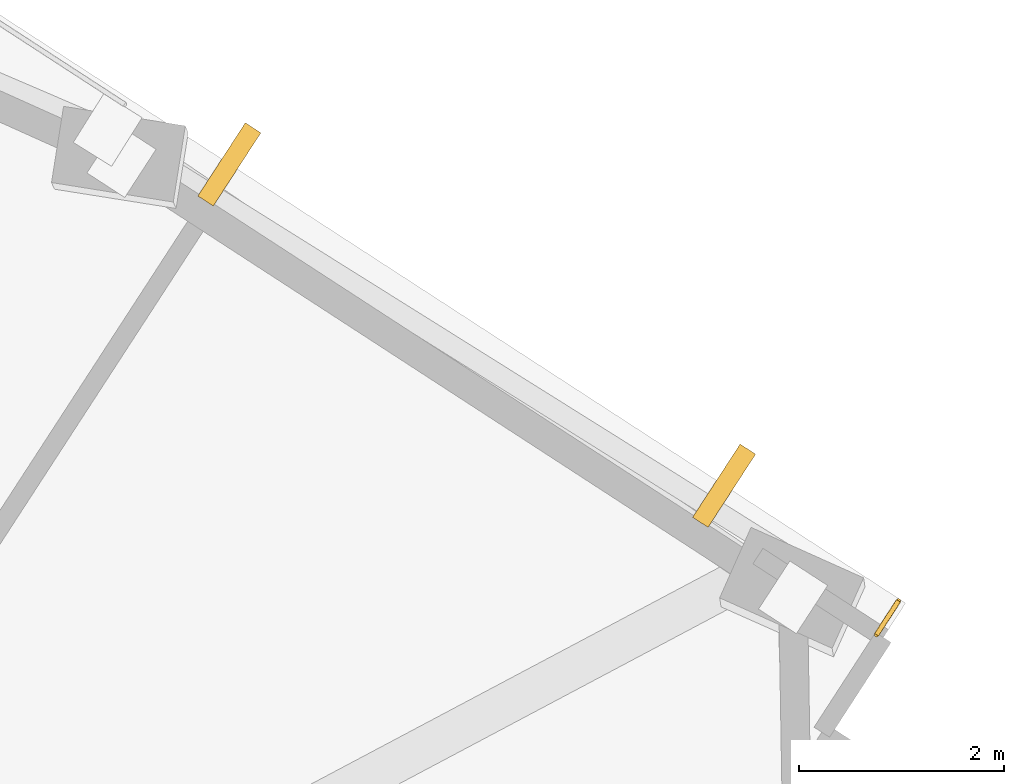
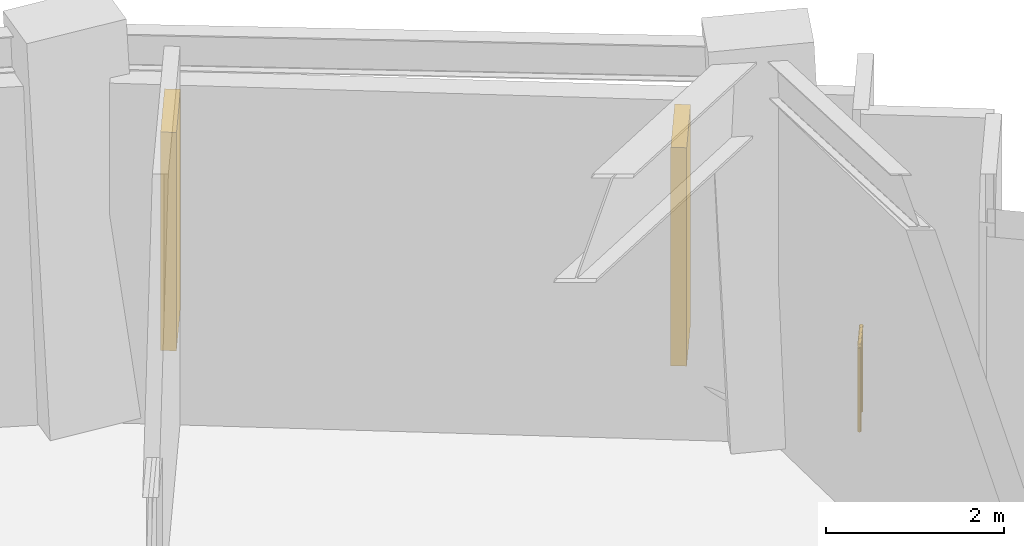
# One storey, part 11 of 11: 2 shading devices, 1 railing.
"""IFC4 building model written with IfcOpenShell, lengths in metres."""

import ifcopenshell
import ifcopenshell.guid

model = None  # the IFC model being written
_history = None  # IfcOwnerHistory: only IFC2X3 demands one
_inside = {}  # id of a spatial element -> (the spatial element, [elements in it])
_under = {}  # id of a project, library or spatial element -> (it, [spatial elements below it])
_declared = {}  # id of a project -> (the project, [libraries it declares])
_typed = {}  # id of a type object -> (the type object, [elements of that type])
_made_of = {}  # id of a material, layer set ... -> (it, [elements and type objects made of it])


def new_model(schema):
    """Start an empty IFC model of exactly this schema.

    Asked for "IFC4X3", IfcOpenShell would pick the latest addendum, in which some entities
    have other attributes; the version numbers below select the first issue.
    IFC2X3 requires an IfcOwnerHistory on every rooted entity: one is made here for all.
    """
    global model, _history
    if schema == "IFC4X3":
        model = ifcopenshell.file(schema_version=(4, 3, 0, 0))
    else:
        model = ifcopenshell.file(schema=schema)
    _inside.clear()
    _under.clear()
    _declared.clear()
    _typed.clear()
    _made_of.clear()
    _history = None
    if model.schema == "IFC2X3":
        org = make("IfcOrganization", Name="unknown")
        user = make(
            "IfcPersonAndOrganization",
            ThePerson=make("IfcPerson", FamilyName="unknown"),
            TheOrganization=org,
        )
        app = make(
            "IfcApplication",
            ApplicationDeveloper=org,
            Version="unknown",
            ApplicationFullName="unknown",
            ApplicationIdentifier="unknown",
        )
        _history = make(
            "IfcOwnerHistory",
            OwningUser=user,
            OwningApplication=app,
            ChangeAction="ADDED",
            CreationDate=0,
        )
    return model


def make(cls, **values):
    """One entity of the class cls with the attributes given. An attribute that is None is left unset."""
    return model.create_entity(
        cls, **{name: value for name, value in values.items() if value is not None}
    )


def rooted(cls, **values):
    """An entity with a GlobalId (a new one), such as an element, a storey or a relation."""
    return make(cls, GlobalId=ifcopenshell.guid.new(), OwnerHistory=_history, **values)


def si_unit(unit_type, name, prefix=None):
    """IfcSIUnit, for example si_unit("LENGTHUNIT", "METRE", prefix="MILLI")."""
    return make("IfcSIUnit", UnitType=unit_type, Prefix=prefix, Name=name)


def assignment(units):
    """IfcUnitAssignment: the units of a project."""
    return None if units is None else make("IfcUnitAssignment", Units=units)


def point(xyz):
    """IfcCartesianPoint."""
    return None if xyz is None else make("IfcCartesianPoint", Coordinates=xyz)


def direction(xyz):
    """IfcDirection."""
    return None if xyz is None else make("IfcDirection", DirectionRatios=xyz)


def frame(location, z_axis=None, x_axis=None):
    """IfcAxis2Placement3D, a coordinate frame: its origin and axes. An axis left out is left unset."""
    return make(
        "IfcAxis2Placement3D",
        Location=point(location),
        Axis=direction(z_axis),
        RefDirection=direction(x_axis),
    )


def frame_2d(location, x_axis=None):
    """IfcAxis2Placement2D, a coordinate frame in the plane: its origin and x axis."""
    return make(
        "IfcAxis2Placement2D", Location=point(location), RefDirection=direction(x_axis)
    )


def origin():
    """The frame at (0, 0, 0) with its axes left unset."""
    return frame((0.0, 0.0, 0.0))


def origin_2d():
    """The frame at (0, 0) in the plane with its x axis left unset."""
    return frame_2d((0.0, 0.0))


def place(relative_to, where):
    """IfcLocalPlacement: puts the frame where relative to a parent placement (None: the world)."""
    return make(
        "IfcLocalPlacement", PlacementRelTo=relative_to, RelativePlacement=where
    )


def context(
    kind, dimensions, precision=None, world=None, true_north=None, identifier=None
):
    """IfcGeometricRepresentationContext, for example the 3D "Model" context."""
    return make(
        "IfcGeometricRepresentationContext",
        ContextIdentifier=identifier,
        ContextType=kind,
        CoordinateSpaceDimension=dimensions,
        Precision=precision,
        WorldCoordinateSystem=world,
        TrueNorth=true_north,
    )


def subcontext(parent, identifier, kind, view, scale=None):
    """IfcGeometricRepresentationSubContext, for example "Body" below "Model"."""
    return make(
        "IfcGeometricRepresentationSubContext",
        ContextIdentifier=identifier,
        ContextType=kind,
        ParentContext=parent,
        TargetScale=scale,
        TargetView=view,
    )


def project(units=None, contexts=None):
    """IfcProject with its units and contexts."""
    return rooted(
        "IfcProject",
        Name="project",
        RepresentationContexts=contexts,
        UnitsInContext=assignment(units),
    )


def spatial(cls, under=None, at=None, **own):
    """A site, building, storey or space (cls), placed at a placement, below another one or the project."""
    s = rooted(cls, ObjectPlacement=at, **own)
    if under is not None:
        _under.setdefault(under.id(), (under, []))[1].append(s)
    return s


def profile(cls, at=None, kind="AREA", **sizes):
    """A parametric profile (cls). Its sizes go by their IFC names, for example OverallWidth=200.0."""
    return make(cls, ProfileType=kind, Position=at, **sizes)


def rectangle(**sizes):
    """IfcRectangleProfileDef."""
    return profile("IfcRectangleProfileDef", **sizes)


def circle(**sizes):
    """IfcCircleProfileDef."""
    return profile("IfcCircleProfileDef", **sizes)


def extrude(swept, where, along, depth):
    """IfcExtrudedAreaSolid: the profile swept, set in the frame where, extruded along a direction by depth."""
    return make(
        "IfcExtrudedAreaSolid",
        SweptArea=swept,
        Position=where,
        ExtrudedDirection=direction(along),
        Depth=depth,
    )


def shape(context_of_items, identifier, shape_type, items):
    """IfcShapeRepresentation: the items that make up one representation, for example the "Body"."""
    return make(
        "IfcShapeRepresentation",
        ContextOfItems=context_of_items,
        RepresentationIdentifier=identifier,
        RepresentationType=shape_type,
        Items=items,
    )


def material(Name=None, Category=None):
    """IfcMaterial."""
    return make("IfcMaterial", Name=Name, Category=Category)


def layer(
    of_material, thickness, ventilated=None, Name=None, Category=None, Priority=None
):
    """IfcMaterialLayer: one layer of a wall or slab, of a material (None: an air gap)."""
    return make(
        "IfcMaterialLayer",
        Material=of_material,
        LayerThickness=thickness,
        IsVentilated=ventilated,
        Name=Name,
        Category=Category,
        Priority=Priority,
    )


def layer_set(layers, Name=None):
    """IfcMaterialLayerSet."""
    return make("IfcMaterialLayerSet", MaterialLayers=layers, LayerSetName=Name)


def made_of(thing, what):
    """Note that an element or type object is made of a material, layer set ...; save() writes the relation."""
    if what is not None:
        _made_of.setdefault(what.id(), (what, []))[1].append(thing)
    return thing


def type_object(cls, material=None, **own):
    """A type object (cls), such as IfcWallType, which elements share."""
    return made_of(rooted(cls, **own), material)


def element(
    cls,
    number,
    at=None,
    inside=None,
    cuts=None,
    type_object=None,
    material=None,
    context=None,
    identifier="Body",
    shape_type=None,
    held_by="IfcProductDefinitionShape",
    body=None,
    shapes=None,
    **own,
):
    """One element of the class cls, such as IfcWall. Its Tag is "e" and its number.

    at: its placement. inside: the storey or other place that contains it. cuts: it is an
    opening in that element (IfcRelVoidsElement). A single representation is given by context,
    identifier, shape_type and body (its items); several are given by shapes. held_by: the class
    of the entity that holds the representations. save() writes the other relations.
    """
    e = rooted(cls, Tag="e%d" % number, ObjectPlacement=at, **own)
    if body is not None:
        shapes = [shape(context, identifier, shape_type, body)]
    if shapes is not None:
        e.Representation = make(held_by, Representations=shapes)
    if inside is not None:
        _inside.setdefault(inside.id(), (inside, []))[1].append(e)
    if cuts is not None:
        rooted(
            "IfcRelVoidsElement", RelatingBuildingElement=cuts, RelatedOpeningElement=e
        )
    if type_object is not None:
        _typed.setdefault(type_object.id(), (type_object, []))[1].append(e)
    return made_of(e, material)


def aggregate(whole, parts):
    """IfcRelAggregates: a whole, such as a stair, and the parts it consists of."""
    return rooted("IfcRelAggregates", RelatingObject=whole, RelatedObjects=parts)


def save(model, path):
    """Write the relations noted so far, then the file.

    IfcRelAggregates (storeys below a building ...), IfcRelContainedInSpatialStructure (elements
    in a storey), IfcRelDefinesByType, IfcRelAssociatesMaterial and IfcRelDeclares: one each for
    every whole, place, type object, material and project.
    """
    for whole, parts in _under.values():
        aggregate(whole, parts)
    for where, things in _inside.values():
        rooted(
            "IfcRelContainedInSpatialStructure",
            RelatedElements=things,
            RelatingStructure=where,
        )
    for kind, things in _typed.values():
        rooted("IfcRelDefinesByType", RelatedObjects=things, RelatingType=kind)
    for what, things in _made_of.values():
        rooted("IfcRelAssociatesMaterial", RelatedObjects=things, RelatingMaterial=what)
    for by, libraries in _declared.values():
        rooted("IfcRelDeclares", RelatingContext=by, RelatedDefinitions=libraries)
    model.write(path)


model = new_model("IFC4")

# Units and contexts
model_context = context("Model", 3, precision=1e-05, world=origin(), true_north=direction((0.0, 1.0)))
body_context = subcontext(model_context, "Body", "Model", "MODEL_VIEW")
ifc_project = project(units=[si_unit("LENGTHUNIT", "METRE"), si_unit("AREAUNIT", "SQUARE_METRE"), si_unit("VOLUMEUNIT", "CUBIC_METRE"), si_unit("PLANEANGLEUNIT", "RADIAN"), si_unit("MASSUNIT", "GRAM", prefix="KILO")], contexts=[model_context])

# Site, building, storey
site_placement = place(None, origin())
site = spatial("IfcSite", under=ifc_project, at=site_placement, CompositionType="ELEMENT")
building_placement = place(site_placement, origin())
building = spatial("IfcBuilding", under=site, at=building_placement, Name="Gaonmaruhae Medical Tower", CompositionType="ELEMENT")
storey_placement = place(building_placement, frame((0.0, 0.0, 267.199951171875)))
storey = spatial("IfcBuildingStorey", under=building, at=storey_placement, Name="L64", CompositionType="ELEMENT", Elevation=267.199951171875)

# Railing
ifc_material_1 = material(Name="Stainless steel 316L and laminated safety glass", Category="steel")
ifc_layer = layer(ifc_material_1, 0.080078125)
ifc_layer_set = layer_set([ifc_layer], Name="Stainless steel 316L and laminated safety glass")
railing_type = type_object("IfcRailingType", Name="GD-120 Outdoor Terrace Safety Glass & Steel Balustrade", PredefinedType="BALUSTRADE", material=ifc_layer_set)
railing_placement = place(storey_placement, frame((59.289794921875, 28.1328125, 0.0)))
element("IfcRailing", 1, at=railing_placement, inside=storey, type_object=railing_type, Name="L64 Perimeter Slab Edge Safety Balustrade 02", PredefinedType="BALUSTRADE", context=body_context, shape_type="SweptSolid", body=[
    extrude(circle(Radius=0.02392578125, at=origin_2d()), frame((0.0, 0.0, 1.17578125), z_axis=(0.54448633473, 0.838769712908, 0.0), x_axis=(-0.838769712908, 0.54448633473, 0.0)), (0.0, 0.0, 1.0), 0.393310546875),
    extrude(circle(Radius=0.02099609375, at=origin_2d()), origin(), (0.0, 0.0, 1.0), 1.15185546875),
    extrude(circle(Radius=0.02099609375, at=origin_2d()), frame((0.214111328125, 0.329833984375, 0.0)), (0.0, 0.0, 1.0), 1.15185546875),
])

# Shading devices
ifc_material_2 = material(Name="Pigmented coral precast concrete C45/55", Category="concrete")
shading_device_type = type_object("IfcShadingDeviceType", Name="SD-FIN1 Tower Vertical Coral Precast Shading Fin", PredefinedType="USERDEFINED", material=ifc_material_2)
for number, where, z_axis, x_axis, name in (
    (2, (52.98583984375, 32.71337890625, 0.83251953125), (0.0, 0.0, 1.0), (0.838670567945, -0.544639035015, 0.0), "L64 Vertical Coral Precast Shading Fin E01"),
    (3, (57.80517578125, 29.583740234375, 0.83251953125), (0.0, 0.0, 1.0), (0.838670567945, -0.544639035015, 0.0), "L64 Vertical Coral Precast Shading Fin E01B"),
):
    element("IfcShadingDevice", number, at=place(storey_placement, frame(where, z_axis=z_axis, x_axis=x_axis)), inside=storey, type_object=shading_device_type, Name=name, ObjectType="FIN", PredefinedType="USERDEFINED", context=body_context, shape_type="SweptSolid", body=[
        extrude(rectangle(XDim=0.179931640625, YDim=0.85009765625, at=origin_2d()), origin(), (0.0, 0.0, 1.0), 3.0),
    ])

save(model, "model.ifc")
